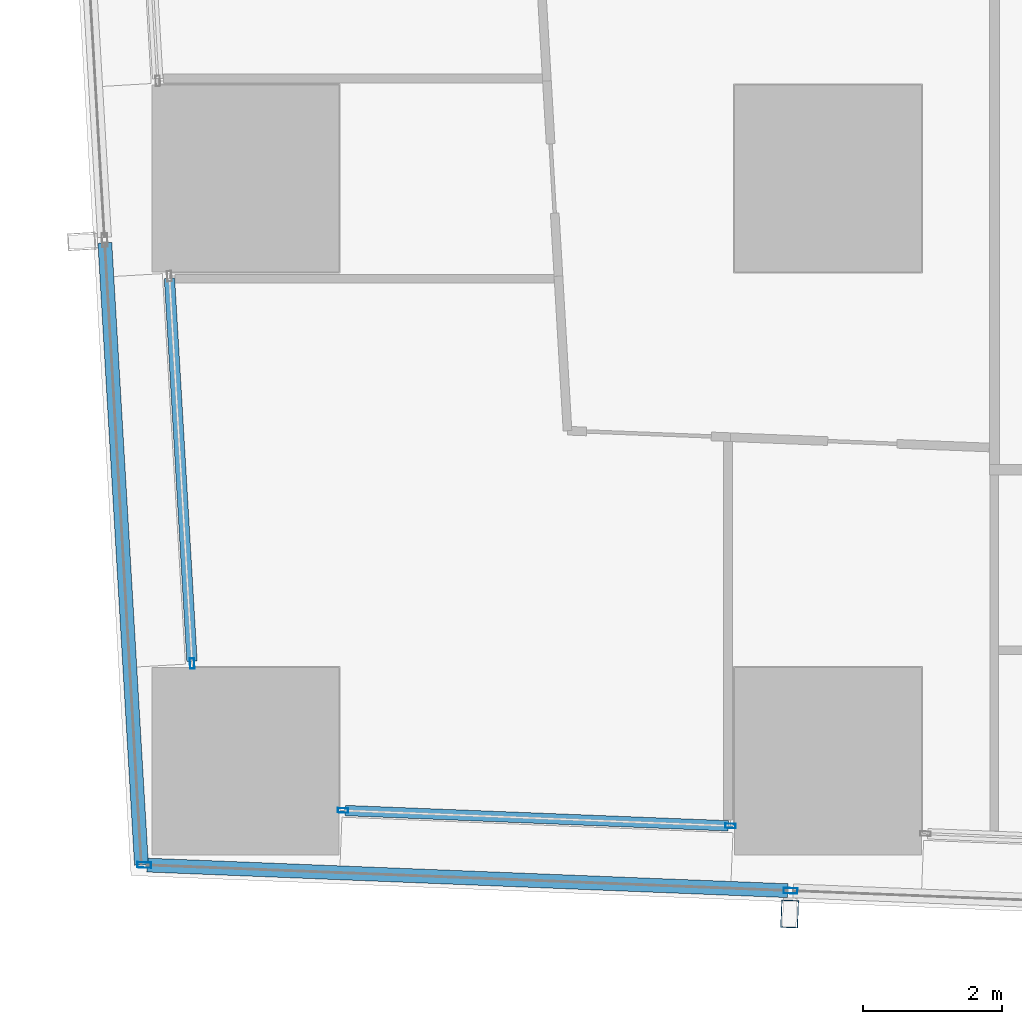
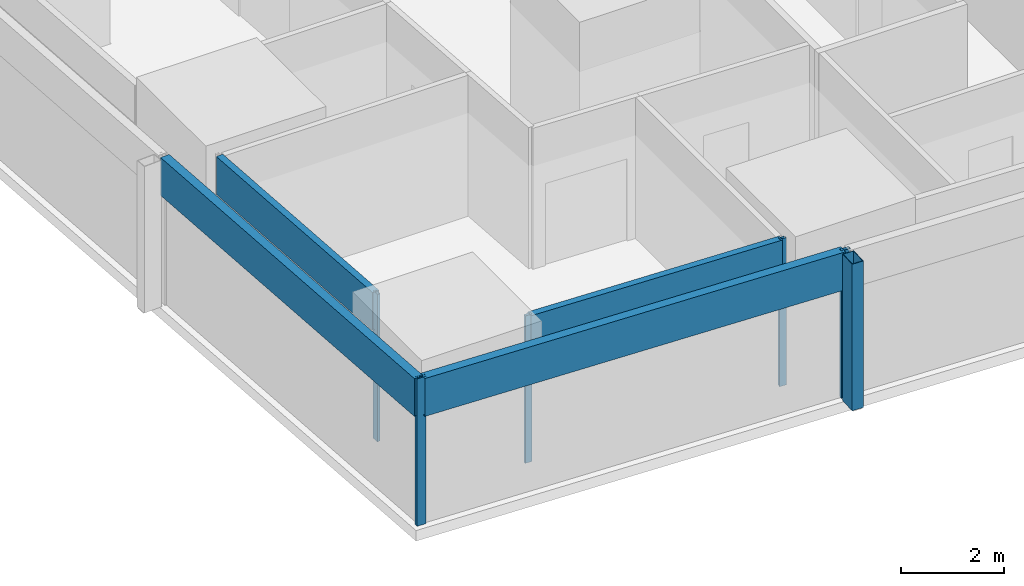
# One storey, part 2 of 36: 10 members, 4 elements without a shape of their own.
"""IFC4 building model written with IfcOpenShell, lengths in metres."""

from ifc_helpers import new_model, si_unit, direction, frame, origin, origin_2d, place, context, subcontext, project, spatial, hollow_rectangle, extrude, material, material_profile, profile_set, type_object, element, aggregate, save


model = new_model("IFC4")

# Units and contexts
model_context = context("Model", 3, precision=1e-05, world=origin(), true_north=direction((0.0, 1.0)))
body_context = subcontext(model_context, "Body", "Model", "MODEL_VIEW")
ifc_project = project(units=[si_unit("LENGTHUNIT", "METRE"), si_unit("AREAUNIT", "SQUARE_METRE"), si_unit("VOLUMEUNIT", "CUBIC_METRE"), si_unit("PLANEANGLEUNIT", "RADIAN"), si_unit("MASSUNIT", "GRAM", prefix="KILO")], contexts=[model_context])

# Site, building, storey
site_placement = place(None, origin())
site = spatial("IfcSite", under=ifc_project, at=site_placement, CompositionType="ELEMENT")
building_placement = place(site_placement, origin())
building = spatial("IfcBuilding", under=site, at=building_placement, Name="Rekha Terrace Tower", CompositionType="ELEMENT")
storey_placement = place(building_placement, frame((0.0, 0.0, 172.699951171875)))
storey = spatial("IfcBuildingStorey", under=building, at=storey_placement, Name="L43", CompositionType="ELEMENT", Elevation=172.699951171875)

# Curtain wall, member
ifc_material_1 = material(Name="Aluminium framing", Category="aluminium")
curtain_wall_type_1 = type_object("IfcCurtainWallType", Name="CW2 double skin outer glazing", PredefinedType="USERDEFINED", material=ifc_material_1)
curtain_wall_1_placement = place(storey_placement, origin())
curtain_wall_1 = element("IfcCurtainWall", 1, at=curtain_wall_1_placement, inside=storey, type_object=curtain_wall_type_1, Name="CW2 double skin outer glazing", ObjectType="DOUBLE SKIN OUTER GLAZING", PredefinedType="USERDEFINED")
ifc_material_2 = material(Name="Steel S355 with fluorocarbon finish", Category="steel")
ifc_material_profile_1 = material_profile(ifc_material_2, hollow_rectangle(XDim=0.25, YDim=0.39990234375, WallThickness=0.012451171875, at=origin_2d()), Name="RHS400x250x12.5")
ifc_profile_set_1 = profile_set([ifc_material_profile_1], Name="Steel S355 with fluorocarbon finish")
member_type_1 = type_object("IfcMemberType", Name="BL1 facade blade RHS 400 x 250", PredefinedType="USERDEFINED", material=ifc_profile_set_1)
member_1_placement = place(storey_placement, frame((16.24658203125, 14.595947265625, 0.02001953125), z_axis=(0.0, 0.0, 1.0), x_axis=(0.999204797763, -0.039871946621, 0.0)))
member_1 = element("IfcMember", 2, at=member_1_placement, type_object=member_type_1, Name="Facade blade", ObjectType="FACADE BLADE", PredefinedType="USERDEFINED", context=body_context, shape_type="SweptSolid", body=[
    extrude(hollow_rectangle(XDim=0.25, YDim=0.39990234375, WallThickness=0.012451171875, at=origin_2d()), origin(), (0.0, 0.0, 1.0), 3.47998046875),
])

# Curtain wall, members
curtain_wall_type_2 = type_object("IfcCurtainWallType", Name="CW1 double skin inner glazing", PredefinedType="USERDEFINED", material=ifc_material_1)
curtain_wall_2_placement = place(storey_placement, origin())
curtain_wall_2 = element("IfcCurtainWall", 3, at=curtain_wall_2_placement, inside=storey, type_object=curtain_wall_type_2, Name="CW1 double skin inner glazing", ObjectType="DOUBLE SKIN INNER GLAZING", PredefinedType="USERDEFINED")
ifc_material_3 = material(Name="Aluminium mullion section", Category="aluminium")
ifc_material_profile_2 = material_profile(ifc_material_3, hollow_rectangle(XDim=0.06494140625, YDim=0.14990234375, WallThickness=0.00390625, at=origin_2d()), Name="AL RHS 65x150")
ifc_profile_set_2 = profile_set([ifc_material_profile_2], Name="Aluminium mullion section")
member_type_2 = type_object("IfcMemberType", Name="CW1 mullion RHS 65 x 150", PredefinedType="MULLION", material=ifc_profile_set_2)
member_2_placement = place(storey_placement, frame((9.80615234375, 16.0888671875, 0.0), z_axis=(0.0, 0.0, 1.0), x_axis=(0.039872497078, 0.999204775798, 0.0)))
member_2 = element("IfcMember", 4, at=member_2_placement, type_object=member_type_2, Name="CW1 mullion 1", PredefinedType="MULLION", context=body_context, shape_type="SweptSolid", body=[
    extrude(hollow_rectangle(XDim=0.06494140625, YDim=0.14990234375, WallThickness=0.00390625, at=origin_2d()), origin(), (0.0, 0.0, 1.0), 3.5),
])
member_3_placement = place(storey_placement, frame((15.393798828125, 15.865966796875, 0.0), z_axis=(0.0, 0.0, 1.0), x_axis=(0.039872497078, 0.999204775798, 0.0)))
member_3 = element("IfcMember", 5, at=member_3_placement, type_object=member_type_2, Name="CW1 mullion 2", PredefinedType="MULLION", context=body_context, shape_type="SweptSolid", body=[
    extrude(hollow_rectangle(XDim=0.06494140625, YDim=0.14990234375, WallThickness=0.00390625, at=origin_2d()), origin(), (0.0, 0.0, 1.0), 3.5),
])

# Curtain wall, member
curtain_wall_3_placement = place(storey_placement, origin())
curtain_wall_3 = element("IfcCurtainWall", 6, at=curtain_wall_3_placement, inside=storey, type_object=curtain_wall_type_2, Name="CW1 double skin inner glazing", ObjectType="DOUBLE SKIN INNER GLAZING", PredefinedType="USERDEFINED")
member_4_placement = place(storey_placement, frame((7.6318359375, 18.2080078125, 0.0), z_axis=(0.0, 0.0, 1.0), x_axis=(0.998271839269, 0.058765082516, 0.0)))
member_4 = element("IfcMember", 7, at=member_4_placement, type_object=member_type_2, Name="CW1 mullion 2", PredefinedType="MULLION", context=body_context, shape_type="SweptSolid", body=[
    extrude(hollow_rectangle(XDim=0.06494140625, YDim=0.14990234375, WallThickness=0.00390625, at=origin_2d()), origin(), (0.0, 0.0, 1.0), 3.5),
])

# Member
ifc_material_4 = material(Name="Insulated aluminium spandrel box", Category="aluminium")
ifc_material_profile_3 = material_profile(ifc_material_4, hollow_rectangle(XDim=0.14990234375, YDim=0.89990234375, WallThickness=0.0029296875, at=origin_2d()), Name="AL SPANDREL BOX 150x900")
ifc_profile_set_3 = profile_set([ifc_material_profile_3], Name="Insulated aluminium spandrel box")
member_type_3 = type_object("IfcMemberType", Name="CW1 spandrel transom 150 x 900", PredefinedType="USERDEFINED", material=ifc_profile_set_3)
member_5_placement = place(storey_placement, frame((9.838623046875, 16.087646484375, 3.050048828125), z_axis=(0.999204201258, -0.039886892433, 0.0), x_axis=(0.039886892433, 0.999204201258, 0.0)))
member_5 = element("IfcMember", 8, at=member_5_placement, type_object=member_type_3, Name="CW1 spandrel transom 1", ObjectType="TRANSOM", PredefinedType="USERDEFINED", context=body_context, shape_type="SweptSolid", body=[
    extrude(hollow_rectangle(XDim=0.14990234375, YDim=0.89990234375, WallThickness=0.0029296875, at=origin_2d()), origin(), (0.0, 0.0, 1.0), 5.527099609375),
])

aggregate(curtain_wall_2, [member_2, member_3, member_5])

member_6_placement = place(storey_placement, frame((7.304931640625, 23.759521484375, 3.050048828125), z_axis=(0.058776383814, -0.998271173933, 0.0), x_axis=(0.998271173933, 0.058776383814, 0.0)))
member_6 = element("IfcMember", 9, at=member_6_placement, type_object=member_type_3, Name="CW1 spandrel transom 1", ObjectType="TRANSOM", PredefinedType="USERDEFINED", context=body_context, shape_type="SweptSolid", body=[
    extrude(hollow_rectangle(XDim=0.14990234375, YDim=0.89990234375, WallThickness=0.0029296875, at=origin_2d()), origin(), (0.0, 0.0, 1.0), 5.528564453125),
])

aggregate(curtain_wall_3, [member_4, member_6])

ifc_material_profile_4 = material_profile(ifc_material_3, hollow_rectangle(XDim=0.080078125, YDim=0.199951171875, WallThickness=0.00390625, at=origin_2d()), Name="AL RHS 80x200")
ifc_profile_set_4 = profile_set([ifc_material_profile_4], Name="Aluminium mullion section")
member_type_4 = type_object("IfcMemberType", Name="CW2 mullion RHS 80 x 200", PredefinedType="MULLION", material=ifc_profile_set_4)
member_7_placement = place(storey_placement, frame((6.941162109375, 15.302490234375, 0.0), z_axis=(0.0, 0.0, 1.0), x_axis=(0.039872497044, 0.999204775799, 0.0)))
member_7 = element("IfcMember", 10, at=member_7_placement, type_object=member_type_4, Name="CW2 mullion 1", PredefinedType="MULLION", context=body_context, shape_type="SweptSolid", body=[
    extrude(hollow_rectangle(XDim=0.080078125, YDim=0.199951171875, WallThickness=0.00390625, at=origin_2d()), origin(), (0.0, 0.0, 1.0), 3.5),
])

member_8_placement = place(storey_placement, frame((16.259765625, 14.9306640625, 0.0), z_axis=(0.0, 0.0, 1.0), x_axis=(0.039872497044, 0.999204775799, 0.0)))
member_8 = element("IfcMember", 11, at=member_8_placement, type_object=member_type_4, Name="CW2 mullion 2", PredefinedType="MULLION", context=body_context, shape_type="SweptSolid", body=[
    extrude(hollow_rectangle(XDim=0.080078125, YDim=0.199951171875, WallThickness=0.00390625, at=origin_2d()), origin(), (0.0, 0.0, 1.0), 3.5),
])

ifc_material_profile_5 = material_profile(ifc_material_4, hollow_rectangle(XDim=0.199951171875, YDim=0.89990234375, WallThickness=0.0029296875, at=origin_2d()), Name="AL SPANDREL BOX 200x900")
ifc_profile_set_5 = profile_set([ifc_material_profile_5], Name="Insulated aluminium spandrel box")
member_type_5 = type_object("IfcMemberType", Name="CW2 spandrel transom 200 x 900", PredefinedType="USERDEFINED", material=ifc_profile_set_5)
member_9_placement = place(storey_placement, frame((6.981201171875, 15.301025390625, 3.050048828125), z_axis=(0.999203782278, -0.039897386899, 0.0), x_axis=(0.039897386899, 0.999203782278, 0.0)))
member_9 = element("IfcMember", 12, at=member_9_placement, type_object=member_type_5, Name="CW2 spandrel transom 1", ObjectType="TRANSOM", PredefinedType="USERDEFINED", context=body_context, shape_type="SweptSolid", body=[
    extrude(hollow_rectangle(XDim=0.199951171875, YDim=0.89990234375, WallThickness=0.0029296875, at=origin_2d()), origin(), (0.0, 0.0, 1.0), 9.24609375),
])

aggregate(curtain_wall_1, [member_7, member_8, member_9, member_1])

# Curtain wall, member
curtain_wall_4_placement = place(storey_placement, origin())
curtain_wall_4 = element("IfcCurtainWall", 13, at=curtain_wall_4_placement, inside=storey, type_object=curtain_wall_type_1, Name="CW2 double skin outer glazing", ObjectType="DOUBLE SKIN OUTER GLAZING", PredefinedType="USERDEFINED")
member_10_placement = place(storey_placement, frame((6.373291015625, 24.27197265625, 3.050048828125), z_axis=(0.058757071111, -0.998272310842, 0.0), x_axis=(0.998272310842, 0.058757071111, 0.0)))
member_10 = element("IfcMember", 14, at=member_10_placement, type_object=member_type_5, Name="CW2 spandrel transom 3", ObjectType="TRANSOM", PredefinedType="USERDEFINED", context=body_context, shape_type="SweptSolid", body=[
    extrude(hollow_rectangle(XDim=0.199951171875, YDim=0.89990234375, WallThickness=0.0029296875, at=origin_2d()), origin(), (0.0, 0.0, 1.0), 8.9833984375),
])
aggregate(curtain_wall_4, [member_10])

save(model, "model.ifc")
